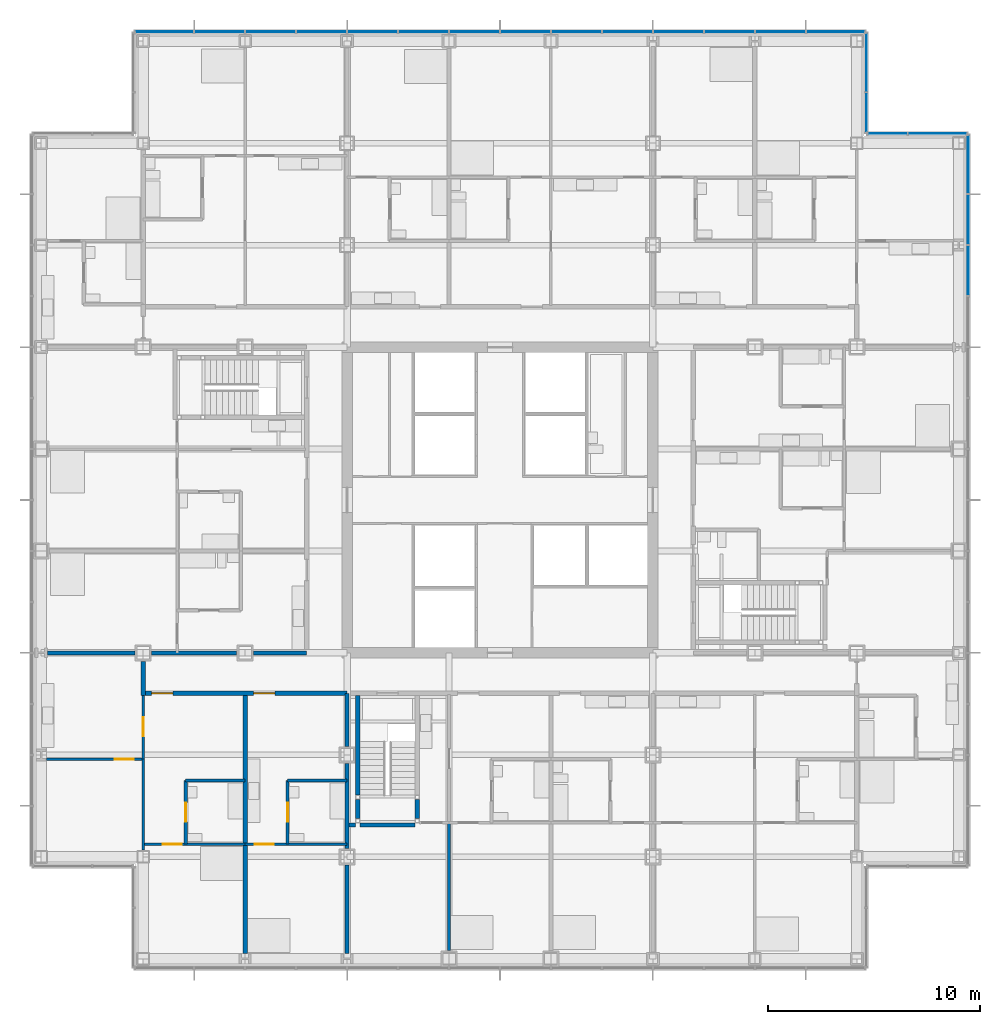
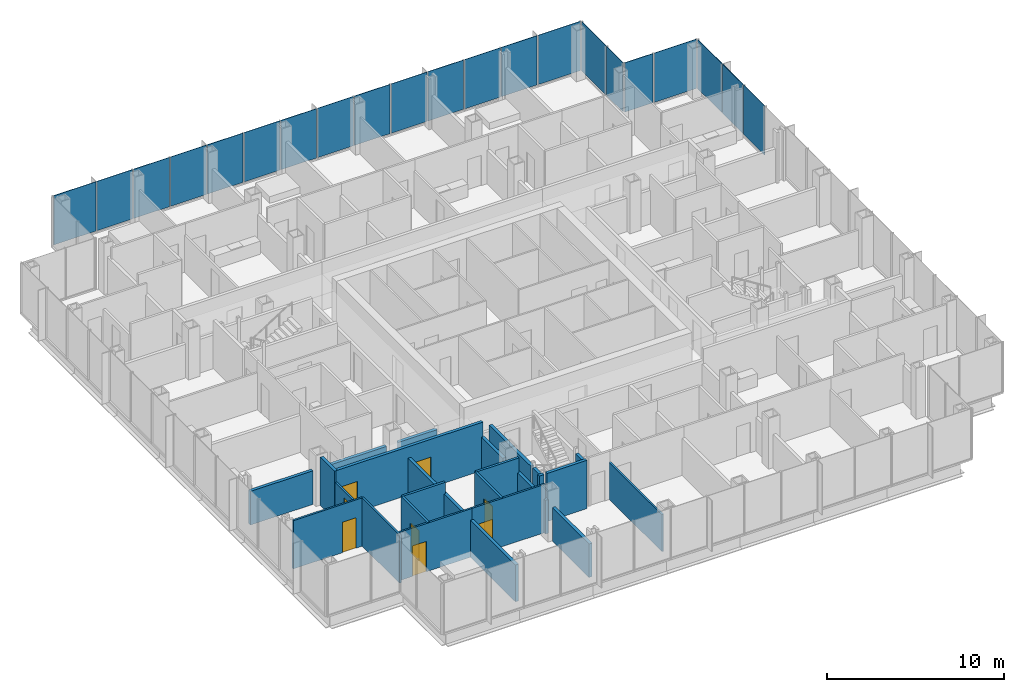
# One storey, part 13 of 21: 24 walls, 21 plates, 8 doors, 8 openings, 4 elements without a shape of their own.
"""IFC4 building model written with IfcOpenShell, lengths in metres."""

from ifc_helpers import new_model, si_unit, direction, frame, frame_2d, origin, origin_2d, place, context, subcontext, project, spatial, rectangle, extrude, material, layer, layer_set, type_object, element, fill, aggregate, save


model = new_model("IFC4")

# Units and contexts
model_context = context("Model", 3, precision=1e-05, world=origin(), true_north=direction((0.0, 1.0)))
body_context = subcontext(model_context, "Body", "Model", "MODEL_VIEW")
ifc_project = project(units=[si_unit("LENGTHUNIT", "METRE"), si_unit("AREAUNIT", "SQUARE_METRE"), si_unit("VOLUMEUNIT", "CUBIC_METRE"), si_unit("PLANEANGLEUNIT", "RADIAN"), si_unit("MASSUNIT", "GRAM", prefix="KILO")], contexts=[model_context])

# Site, building, storey
site_placement = place(None, origin())
site = spatial("IfcSite", under=ifc_project, at=site_placement, CompositionType="ELEMENT")
building_placement = place(site_placement, origin())
building = spatial("IfcBuilding", under=site, at=building_placement, Name="Kvirike Care Tower", CompositionType="ELEMENT")
storey_placement = place(building_placement, frame((0.0, 0.0, 27.0)))
storey = spatial("IfcBuildingStorey", under=building, at=storey_placement, Name="L06", CompositionType="ELEMENT", Elevation=27.0)

# Curtain wall, plates
ifc_material_1 = material(Name="Anodised aluminium stick system", Category="aluminium")
curtain_wall_type = type_object("IfcCurtainWallType", Name="CW-A STICK CURTAIN WALL", PredefinedType="NOTDEFINED", material=ifc_material_1)
curtain_wall_1_placement = place(storey_placement, origin())
curtain_wall_1 = element("IfcCurtainWall", 1, at=curtain_wall_1_placement, inside=storey, type_object=curtain_wall_type, Name="Curtain wall L06 face 7", PredefinedType="NOTDEFINED")
ifc_material_2 = material(Name="Tinted double glazed unit", Category="glass")
ifc_layer_1 = layer(ifc_material_2, 0.031982421875)
ifc_layer_set_1 = layer_set([ifc_layer_1], Name="TINTED VISION PANEL 32")
plate_type = type_object("IfcPlateType", Name="TINTED VISION PANEL 32", PredefinedType="CURTAIN_PANEL", material=ifc_layer_set_1)
plate_1_placement = place(storey_placement, frame((43.64990234375, 46.800048828125, 0.10009765625), z_axis=(0.0, 0.0, 1.0), x_axis=(0.0, 1.0, 0.0)))
plate_1 = element("IfcPlate", 2, at=plate_1_placement, type_object=plate_type, Name="CW-A panel L06 face 7.12", PredefinedType="CURTAIN_PANEL", context=body_context, shape_type="SweptSolid", body=[
    extrude(rectangle(XDim=2.3349609375, YDim=0.031982421875, at=origin_2d()), origin(), (0.0, 0.0, 1.0), 3.39990234375),
])
plate_2_placement = place(storey_placement, frame((43.64990234375, 49.199951171875, 0.10009765625), z_axis=(0.0, 0.0, 1.0), x_axis=(0.0, 1.0, 0.0)))
plate_2 = element("IfcPlate", 3, at=plate_2_placement, type_object=plate_type, Name="CW-A panel L06 face 7.13", PredefinedType="CURTAIN_PANEL", context=body_context, shape_type="SweptSolid", body=[
    extrude(rectangle(XDim=2.3349609375, YDim=0.031982421875, at=origin_2d()), origin(), (0.0, 0.0, 1.0), 3.39990234375),
])
plate_3_placement = place(storey_placement, frame((43.64990234375, 51.808837890625, 0.10009765625), z_axis=(0.0, 0.0, 1.0), x_axis=(0.0, 1.0, 0.0)))
plate_3 = element("IfcPlate", 4, at=plate_3_placement, type_object=plate_type, Name="CW-A panel L06 face 7.14", PredefinedType="CURTAIN_PANEL", context=body_context, shape_type="SweptSolid", body=[
    extrude(rectangle(XDim=2.75244140625, YDim=0.031982421875, at=origin_2d()), origin(), (0.0, 0.0, 1.0), 3.39990234375),
])
aggregate(curtain_wall_1, [plate_1, plate_2, plate_3])

curtain_wall_2_placement = place(storey_placement, origin())
curtain_wall_2 = element("IfcCurtainWall", 5, at=curtain_wall_2_placement, inside=storey, type_object=curtain_wall_type, Name="Curtain wall L06 face 8", PredefinedType="NOTDEFINED")
plate_4_placement = place(storey_placement, frame((42.208740234375, 53.25, 0.10009765625), z_axis=(0.0, 0.0, 1.0), x_axis=(-1.0, 0.0, 0.0)))
plate_4 = element("IfcPlate", 6, at=plate_4_placement, type_object=plate_type, Name="CW-A panel L06 face 8.1", PredefinedType="CURTAIN_PANEL", context=body_context, shape_type="SweptSolid", body=[
    extrude(rectangle(XDim=2.75244140625, YDim=0.031982421875, at=origin_2d()), origin(), (0.0, 0.0, 1.0), 3.39990234375),
])
plate_5_placement = place(storey_placement, frame((39.84130859375, 53.25, 0.10009765625), z_axis=(0.0, 0.0, 1.0), x_axis=(-1.0, 0.0, 0.0)))
plate_5 = element("IfcPlate", 7, at=plate_5_placement, type_object=plate_type, Name="CW-A panel L06 face 8.2", PredefinedType="CURTAIN_PANEL", context=body_context, shape_type="SweptSolid", body=[
    extrude(rectangle(XDim=1.8525390625, YDim=0.031982421875, at=origin_2d()), origin(), (0.0, 0.0, 1.0), 3.39990234375),
])
aggregate(curtain_wall_2, [plate_4, plate_5])

curtain_wall_3_placement = place(storey_placement, origin())
curtain_wall_3 = element("IfcCurtainWall", 8, at=curtain_wall_3_placement, inside=storey, type_object=curtain_wall_type, Name="Curtain wall L06 face 9", PredefinedType="NOTDEFINED")
plate_6_placement = place(storey_placement, frame((38.85009765625, 54.2412109375, 0.10009765625), z_axis=(0.0, 0.0, 1.0), x_axis=(0.0, 1.0, 0.0)))
plate_6 = element("IfcPlate", 9, at=plate_6_placement, type_object=plate_type, Name="CW-A panel L06 face 9.1", PredefinedType="CURTAIN_PANEL", context=body_context, shape_type="SweptSolid", body=[
    extrude(rectangle(XDim=1.8525390625, YDim=0.031982421875, at=origin_2d()), origin(), (0.0, 0.0, 1.0), 3.39990234375),
])
plate_7_placement = place(storey_placement, frame((38.85009765625, 56.608642578125, 0.10009765625), z_axis=(0.0, 0.0, 1.0), x_axis=(0.0, 1.0, 0.0)))
plate_7 = element("IfcPlate", 10, at=plate_7_placement, type_object=plate_type, Name="CW-A panel L06 face 9.2", PredefinedType="CURTAIN_PANEL", context=body_context, shape_type="SweptSolid", body=[
    extrude(rectangle(XDim=2.75244140625, YDim=0.031982421875, at=origin_2d()), origin(), (0.0, 0.0, 1.0), 3.39990234375),
])
aggregate(curtain_wall_3, [plate_6, plate_7])

curtain_wall_4_placement = place(storey_placement, origin())
curtain_wall_4 = element("IfcCurtainWall", 11, at=curtain_wall_4_placement, inside=storey, type_object=curtain_wall_type, Name="Curtain wall L06 face 10", PredefinedType="NOTDEFINED")
plate_8_placement = place(storey_placement, frame((37.40869140625, 58.050048828125, 0.10009765625), z_axis=(0.0, 0.0, 1.0), x_axis=(-1.0, 0.0, 0.0)))
plate_8 = element("IfcPlate", 12, at=plate_8_placement, type_object=plate_type, Name="CW-A panel L06 face 10.1", PredefinedType="CURTAIN_PANEL", context=body_context, shape_type="SweptSolid", body=[
    extrude(rectangle(XDim=2.75244140625, YDim=0.031982421875, at=origin_2d()), origin(), (0.0, 0.0, 1.0), 3.39990234375),
])
plate_9_placement = place(storey_placement, frame((34.800048828125, 58.050048828125, 0.10009765625), z_axis=(0.0, 0.0, 1.0), x_axis=(-1.0, 0.0, 0.0)))
plate_9 = element("IfcPlate", 13, at=plate_9_placement, type_object=plate_type, Name="CW-A panel L06 face 10.2", PredefinedType="CURTAIN_PANEL", context=body_context, shape_type="SweptSolid", body=[
    extrude(rectangle(XDim=2.3349609375, YDim=0.031982421875, at=origin_2d()), origin(), (0.0, 0.0, 1.0), 3.39990234375),
])
plate_10_placement = place(storey_placement, frame((32.39990234375, 58.050048828125, 0.10009765625), z_axis=(0.0, 0.0, 1.0), x_axis=(-1.0, 0.0, 0.0)))
plate_10 = element("IfcPlate", 14, at=plate_10_placement, type_object=plate_type, Name="CW-A panel L06 face 10.3", PredefinedType="CURTAIN_PANEL", context=body_context, shape_type="SweptSolid", body=[
    extrude(rectangle(XDim=2.3349609375, YDim=0.031982421875, at=origin_2d()), origin(), (0.0, 0.0, 1.0), 3.39990234375),
])
plate_11_placement = place(storey_placement, frame((30.0, 58.050048828125, 0.10009765625), z_axis=(0.0, 0.0, 1.0), x_axis=(-1.0, 0.0, 0.0)))
plate_11 = element("IfcPlate", 15, at=plate_11_placement, type_object=plate_type, Name="CW-A panel L06 face 10.4", PredefinedType="CURTAIN_PANEL", context=body_context, shape_type="SweptSolid", body=[
    extrude(rectangle(XDim=2.3349609375, YDim=0.031982421875, at=origin_2d()), origin(), (0.0, 0.0, 1.0), 3.39990234375),
])
plate_12_placement = place(storey_placement, frame((27.60009765625, 58.050048828125, 0.10009765625), z_axis=(0.0, 0.0, 1.0), x_axis=(-1.0, 0.0, 0.0)))
plate_12 = element("IfcPlate", 16, at=plate_12_placement, type_object=plate_type, Name="CW-A panel L06 face 10.5", PredefinedType="CURTAIN_PANEL", context=body_context, shape_type="SweptSolid", body=[
    extrude(rectangle(XDim=2.3349609375, YDim=0.031982421875, at=origin_2d()), origin(), (0.0, 0.0, 1.0), 3.39990234375),
])
plate_13_placement = place(storey_placement, frame((25.199951171875, 58.050048828125, 0.10009765625), z_axis=(0.0, 0.0, 1.0), x_axis=(-1.0, 0.0, 0.0)))
plate_13 = element("IfcPlate", 17, at=plate_13_placement, type_object=plate_type, Name="CW-A panel L06 face 10.6", PredefinedType="CURTAIN_PANEL", context=body_context, shape_type="SweptSolid", body=[
    extrude(rectangle(XDim=2.3349609375, YDim=0.031982421875, at=origin_2d()), origin(), (0.0, 0.0, 1.0), 3.39990234375),
])
plate_14_placement = place(storey_placement, frame((22.800048828125, 58.050048828125, 0.10009765625), z_axis=(0.0, 0.0, 1.0), x_axis=(-1.0, 0.0, 0.0)))
plate_14 = element("IfcPlate", 18, at=plate_14_placement, type_object=plate_type, Name="CW-A panel L06 face 10.7", PredefinedType="CURTAIN_PANEL", context=body_context, shape_type="SweptSolid", body=[
    extrude(rectangle(XDim=2.3349609375, YDim=0.031982421875, at=origin_2d()), origin(), (0.0, 0.0, 1.0), 3.39990234375),
])
plate_15_placement = place(storey_placement, frame((20.39990234375, 58.050048828125, 0.10009765625), z_axis=(0.0, 0.0, 1.0), x_axis=(-1.0, 0.0, 0.0)))
plate_15 = element("IfcPlate", 19, at=plate_15_placement, type_object=plate_type, Name="CW-A panel L06 face 10.8", PredefinedType="CURTAIN_PANEL", context=body_context, shape_type="SweptSolid", body=[
    extrude(rectangle(XDim=2.3349609375, YDim=0.031982421875, at=origin_2d()), origin(), (0.0, 0.0, 1.0), 3.39990234375),
])
plate_16_placement = place(storey_placement, frame((18.0, 58.050048828125, 0.10009765625), z_axis=(0.0, 0.0, 1.0), x_axis=(-1.0, 0.0, 0.0)))
plate_16 = element("IfcPlate", 20, at=plate_16_placement, type_object=plate_type, Name="CW-A panel L06 face 10.9", PredefinedType="CURTAIN_PANEL", context=body_context, shape_type="SweptSolid", body=[
    extrude(rectangle(XDim=2.3349609375, YDim=0.031982421875, at=origin_2d()), origin(), (0.0, 0.0, 1.0), 3.39990234375),
])
plate_17_placement = place(storey_placement, frame((15.60009765625, 58.050048828125, 0.10009765625), z_axis=(0.0, 0.0, 1.0), x_axis=(-1.0, 0.0, 0.0)))
plate_17 = element("IfcPlate", 21, at=plate_17_placement, type_object=plate_type, Name="CW-A panel L06 face 10.10", PredefinedType="CURTAIN_PANEL", context=body_context, shape_type="SweptSolid", body=[
    extrude(rectangle(XDim=2.3349609375, YDim=0.031982421875, at=origin_2d()), origin(), (0.0, 0.0, 1.0), 3.39990234375),
])
plate_18_placement = place(storey_placement, frame((13.199951171875, 58.050048828125, 0.10009765625), z_axis=(0.0, 0.0, 1.0), x_axis=(-1.0, 0.0, 0.0)))
plate_18 = element("IfcPlate", 22, at=plate_18_placement, type_object=plate_type, Name="CW-A panel L06 face 10.11", PredefinedType="CURTAIN_PANEL", context=body_context, shape_type="SweptSolid", body=[
    extrude(rectangle(XDim=2.3349609375, YDim=0.031982421875, at=origin_2d()), origin(), (0.0, 0.0, 1.0), 3.39990234375),
])
plate_19_placement = place(storey_placement, frame((10.800048828125, 58.050048828125, 0.10009765625), z_axis=(0.0, 0.0, 1.0), x_axis=(-1.0, 0.0, 0.0)))
plate_19 = element("IfcPlate", 23, at=plate_19_placement, type_object=plate_type, Name="CW-A panel L06 face 10.12", PredefinedType="CURTAIN_PANEL", context=body_context, shape_type="SweptSolid", body=[
    extrude(rectangle(XDim=2.3349609375, YDim=0.031982421875, at=origin_2d()), origin(), (0.0, 0.0, 1.0), 3.39990234375),
])
plate_20_placement = place(storey_placement, frame((8.39990234375, 58.050048828125, 0.10009765625), z_axis=(0.0, 0.0, 1.0), x_axis=(-1.0, 0.0, 0.0)))
plate_20 = element("IfcPlate", 24, at=plate_20_placement, type_object=plate_type, Name="CW-A panel L06 face 10.13", PredefinedType="CURTAIN_PANEL", context=body_context, shape_type="SweptSolid", body=[
    extrude(rectangle(XDim=2.3349609375, YDim=0.031982421875, at=origin_2d()), origin(), (0.0, 0.0, 1.0), 3.39990234375),
])
plate_21_placement = place(storey_placement, frame((5.791259765625, 58.050048828125, 0.10009765625), z_axis=(0.0, 0.0, 1.0), x_axis=(-1.0, 0.0, 0.0)))
plate_21 = element("IfcPlate", 25, at=plate_21_placement, type_object=plate_type, Name="CW-A panel L06 face 10.14", PredefinedType="CURTAIN_PANEL", context=body_context, shape_type="SweptSolid", body=[
    extrude(rectangle(XDim=2.75244140625, YDim=0.031982421875, at=origin_2d()), origin(), (0.0, 0.0, 1.0), 3.39990234375),
])
aggregate(curtain_wall_4, [plate_8, plate_9, plate_10, plate_11, plate_12, plate_13, plate_14, plate_15, plate_16, plate_17, plate_18, plate_19, plate_20, plate_21])

# Wall, opening, door
ifc_material_3 = material(Name="Moisture-resistant board partition", Category="gypsum")
ifc_layer_2 = layer(ifc_material_3, 0.14990234375)
ifc_layer_set_2 = layer_set([ifc_layer_2], Name="BATHROOM WALL 150")
wall_type_1 = type_object("IfcWallType", Name="BATHROOM WALL 150", PredefinedType="PARTITIONING", material=ifc_layer_set_2)
wall_1_placement = place(storey_placement, frame((6.800048828125, 19.800048828125, 0.0), z_axis=(0.0, 0.0, 1.0), x_axis=(0.0, 1.0, 0.0)))
wall_1 = element("IfcWall", 26, at=wall_1_placement, inside=storey, type_object=wall_type_1, Name="Bathroom Wall 150 L06", PredefinedType="PARTITIONING", context=body_context, shape_type="SweptSolid", body=[
    extrude(rectangle(XDim=3.0, YDim=0.14990234375, at=frame_2d((1.5, 0.0))), origin(), (0.0, 0.0, 1.0), 3.330078125),
])
opening_1_placement = place(wall_1_placement, frame((1.050048828125, 0.0, 0.0)))
opening_1 = element("IfcOpeningElement", 27, at=opening_1_placement, cuts=wall_1, Name="Opening 06-001", PredefinedType="OPENING", context=body_context, shape_type="SweptSolid", body=[
    extrude(rectangle(XDim=0.89990234375, YDim=2.10009765625, at=frame_2d((0.449951171875, 1.050048828125))), frame((0.0, 0.08544921875, 0.0), z_axis=(0.0, -1.0, 0.0), x_axis=(1.0, 0.0, 0.0)), (0.0, 0.0, 1.0), 0.1708984375),
])
ifc_material_4 = material(Name="Timber door set", Category="wood")
door_type_1 = type_object("IfcDoorType", Name="BATHROOM DOOR 900", OperationType="SINGLE_SWING_RIGHT", PredefinedType="DOOR", material=ifc_material_4)
door_1_placement = place(opening_1_placement, frame((0.89990234375, 0.0, 0.0), z_axis=(0.0, 0.0, 1.0), x_axis=(-1.0, 0.0, 0.0)))
door_1 = element("IfcDoor", 28, at=door_1_placement, inside=storey, type_object=door_type_1, Name="Bathroom door", OperationType="SINGLE_SWING_RIGHT", OverallHeight=2.10009765625, OverallWidth=0.89990234375, PredefinedType="DOOR", context=body_context, shape_type="SweptSolid", body=[
    extrude(rectangle(XDim=0.89990234375, YDim=2.10009765625, at=frame_2d((0.449951171875, 1.050048828125))), frame((0.0, 0.02197265625, 0.0), z_axis=(0.0, -1.0, 0.0), x_axis=(1.0, 0.0, 0.0)), (0.0, 0.0, 1.0), 0.0439453125),
])
fill(opening_1, door_1)

# Wall
wall_2_placement = place(storey_placement, frame((6.800048828125, 22.800048828125, 0.0), z_axis=(0.0, 0.0, 1.0), x_axis=(1.0, 0.0, 0.0)))
element("IfcWall", 29, at=wall_2_placement, inside=storey, type_object=wall_type_1, Name="Bathroom Wall 150 L06", PredefinedType="PARTITIONING", context=body_context, shape_type="SweptSolid", body=[
    extrude(rectangle(XDim=2.800048828125, YDim=0.14990234375, at=frame_2d((1.39990234375, 0.0))), origin(), (0.0, 0.0, 1.0), 3.330078125),
])

# Wall, opening, door
wall_3_placement = place(storey_placement, frame((11.60009765625, 19.800048828125, 0.0), z_axis=(0.0, 0.0, 1.0), x_axis=(0.0, 1.0, 0.0)))
wall_3 = element("IfcWall", 30, at=wall_3_placement, inside=storey, type_object=wall_type_1, Name="Bathroom Wall 150 L06", PredefinedType="PARTITIONING", context=body_context, shape_type="SweptSolid", body=[
    extrude(rectangle(XDim=3.0, YDim=0.14990234375, at=frame_2d((1.5, 0.0))), origin(), (0.0, 0.0, 1.0), 3.330078125),
])
opening_2_placement = place(wall_3_placement, frame((1.050048828125, 0.0, 0.0)))
opening_2 = element("IfcOpeningElement", 31, at=opening_2_placement, cuts=wall_3, Name="Opening 06-005", PredefinedType="OPENING", context=body_context, shape_type="SweptSolid", body=[
    extrude(rectangle(XDim=0.89990234375, YDim=2.10009765625, at=frame_2d((0.449951171875, 1.050048828125))), frame((0.0, 0.08544921875, 0.0), z_axis=(0.0, -1.0, 0.0), x_axis=(1.0, 0.0, 0.0)), (0.0, 0.0, 1.0), 0.1708984375),
])
door_2_placement = place(opening_2_placement, frame((0.89990234375, 0.0, 0.0), z_axis=(0.0, 0.0, 1.0), x_axis=(-1.0, 0.0, 0.0)))
door_2 = element("IfcDoor", 32, at=door_2_placement, inside=storey, type_object=door_type_1, Name="Bathroom door", OperationType="SINGLE_SWING_RIGHT", OverallHeight=2.10009765625, OverallWidth=0.89990234375, PredefinedType="DOOR", context=body_context, shape_type="SweptSolid", body=[
    extrude(rectangle(XDim=0.89990234375, YDim=2.10009765625, at=frame_2d((0.449951171875, 1.050048828125))), frame((0.0, 0.02197265625, 0.0), z_axis=(0.0, -1.0, 0.0), x_axis=(1.0, 0.0, 0.0)), (0.0, 0.0, 1.0), 0.0439453125),
])
fill(opening_2, door_2)

# Wall
wall_4_placement = place(storey_placement, frame((11.60009765625, 22.800048828125, 0.0), z_axis=(0.0, 0.0, 1.0), x_axis=(1.0, 0.0, 0.0)))
element("IfcWall", 33, at=wall_4_placement, inside=storey, type_object=wall_type_1, Name="Bathroom Wall 150 L06", PredefinedType="PARTITIONING", context=body_context, shape_type="SweptSolid", body=[
    extrude(rectangle(XDim=2.7998046875, YDim=0.14990234375, at=frame_2d((1.39990234375, 0.0))), origin(), (0.0, 0.0, 1.0), 3.330078125),
])

# Wall, openings, doors
ifc_material_5 = material(Name="Plasterboard corridor wall", Category="gypsum")
ifc_layer_3 = layer(ifc_material_5, 0.199951171875)
ifc_layer_set_3 = layer_set([ifc_layer_3], Name="CORRIDOR WALL 200")
wall_type_2 = type_object("IfcWallType", Name="CORRIDOR WALL 200", PredefinedType="PARTITIONING", material=ifc_layer_set_3)
wall_5_placement = place(storey_placement, frame((4.800048828125, 26.89990234375, 0.0), z_axis=(0.0, 0.0, 1.0), x_axis=(1.0, 0.0, 0.0)))
wall_5 = element("IfcWall", 34, at=wall_5_placement, inside=storey, type_object=wall_type_2, Name="Corridor Wall 200 L06", PredefinedType="PARTITIONING", context=body_context, shape_type="SweptSolid", body=[
    extrude(rectangle(XDim=9.599853515625, YDim=0.199951171875, at=frame_2d((4.7998046875, 0.0))), origin(), (0.0, 0.0, 1.0), 3.330078125),
])
opening_3_placement = place(wall_5_placement, frame((0.39990234375, 0.0, 0.0)))
opening_3 = element("IfcOpeningElement", 35, at=opening_3_placement, cuts=wall_5, Name="Opening 06-007", PredefinedType="OPENING", context=body_context, shape_type="SweptSolid", body=[
    extrude(rectangle(XDim=1.0, YDim=2.10009765625, at=frame_2d((0.5, 1.050048828125))), frame((0.0, 0.110595703125, 0.0), z_axis=(0.0, -1.0, 0.0), x_axis=(1.0, 0.0, 0.0)), (0.0, 0.0, 1.0), 0.220947265625),
])
opening_4_placement = place(wall_5_placement, frame((5.199951171875, 0.0, 0.0)))
opening_4 = element("IfcOpeningElement", 36, at=opening_4_placement, cuts=wall_5, Name="Opening 06-008", PredefinedType="OPENING", context=body_context, shape_type="SweptSolid", body=[
    extrude(rectangle(XDim=1.0, YDim=2.10009765625, at=frame_2d((0.5, 1.050048828125))), frame((0.0, 0.110595703125, 0.0), z_axis=(0.0, -1.0, 0.0), x_axis=(1.0, 0.0, 0.0)), (0.0, 0.0, 1.0), 0.220947265625),
])
ifc_material_6 = material(Name="Timber door set", Category="wood")
door_type_2 = type_object("IfcDoorType", Name="FLAT ENTRANCE DOOR 1000", OperationType="SINGLE_SWING_LEFT", PredefinedType="DOOR", material=ifc_material_6)
door_3_placement = place(opening_3_placement, frame((1.0, 0.0, 0.0), z_axis=(0.0, 0.0, 1.0), x_axis=(-1.0, 0.0, 0.0)))
door_3 = element("IfcDoor", 37, at=door_3_placement, inside=storey, type_object=door_type_2, Name="One-bedroom apartment entrance", OperationType="SINGLE_SWING_LEFT", OverallHeight=2.10009765625, OverallWidth=1.0, PredefinedType="DOOR", context=body_context, shape_type="SweptSolid", body=[
    extrude(rectangle(XDim=1.0, YDim=2.10009765625, at=frame_2d((0.5, 1.050048828125))), frame((0.0, 0.02685546875, 0.0), z_axis=(0.0, -1.0, 0.0), x_axis=(1.0, 0.0, 0.0)), (0.0, 0.0, 1.0), 0.053955078125),
])
fill(opening_3, door_3)
door_4_placement = place(opening_4_placement, frame((1.0, 0.0, 0.0), z_axis=(0.0, 0.0, 1.0), x_axis=(-1.0, 0.0, 0.0)))
door_4 = element("IfcDoor", 38, at=door_4_placement, inside=storey, type_object=door_type_2, Name="Studio apartment entrance", OperationType="SINGLE_SWING_LEFT", OverallHeight=2.10009765625, OverallWidth=1.0, PredefinedType="DOOR", context=body_context, shape_type="SweptSolid", body=[
    extrude(rectangle(XDim=1.0, YDim=2.10009765625, at=frame_2d((0.5, 1.050048828125))), frame((0.0, 0.02685546875, 0.0), z_axis=(0.0, -1.0, 0.0), x_axis=(1.0, 0.0, 0.0)), (0.0, 0.0, 1.0), 0.053955078125),
])
fill(opening_4, door_4)

# Wall
wall_6_placement = place(storey_placement, frame((4.800048828125, 26.800048828125, 0.0), z_axis=(0.0, 0.0, 1.0), x_axis=(0.0, 1.0, 0.0)))
element("IfcWall", 39, at=wall_6_placement, inside=storey, type_object=wall_type_2, Name="Corridor Wall 200 L06", PredefinedType="PARTITIONING", context=body_context, shape_type="SweptSolid", body=[
    extrude(rectangle(XDim=1.60498046875, YDim=0.199951171875, at=frame_2d((0.802490234375, 0.0))), origin(), (0.0, 0.0, 1.0), 3.330078125),
])

# Wall, opening, door
ifc_material_7 = material(Name="Plasterboard partition", Category="gypsum")
ifc_layer_4 = layer(ifc_material_7, 0.1201171875)
ifc_layer_set_4 = layer_set([ifc_layer_4], Name="PARTITION 120")
wall_type_3 = type_object("IfcWallType", Name="PARTITION 120", PredefinedType="PARTITIONING", material=ifc_layer_set_4)
wall_7_placement = place(storey_placement, frame((4.800048828125, 23.800048828125, 0.0), z_axis=(0.0, 0.0, 1.0), x_axis=(0.0, 1.0, 0.0)))
wall_7 = element("IfcWall", 40, at=wall_7_placement, inside=storey, type_object=wall_type_3, Name="Partition 120 L06", PredefinedType="PARTITIONING", context=body_context, shape_type="SweptSolid", body=[
    extrude(rectangle(XDim=3.0, YDim=0.1201171875, at=frame_2d((1.5, 0.0))), origin(), (0.0, 0.0, 1.0), 2.550048828125),
])
opening_5_placement = place(wall_7_placement, frame((1.074951171875, 0.0, 0.0)))
opening_5 = element("IfcOpeningElement", 41, at=opening_5_placement, cuts=wall_7, Name="Opening 06-002", PredefinedType="OPENING", context=body_context, shape_type="SweptSolid", body=[
    extrude(rectangle(XDim=0.89990234375, YDim=2.10009765625, at=frame_2d((0.449951171875, 1.050048828125))), frame((0.0, 0.070556640625, 0.0), z_axis=(0.0, -1.0, 0.0), x_axis=(1.0, 0.0, 0.0)), (0.0, 0.0, 1.0), 0.14111328125),
])
ifc_material_8 = material(Name="Timber door set", Category="wood")
door_type_3 = type_object("IfcDoorType", Name="INTERNAL DOOR 900", OperationType="SINGLE_SWING_LEFT", PredefinedType="DOOR", material=ifc_material_8)
door_5_placement = place(opening_5_placement, origin())
door_5 = element("IfcDoor", 42, at=door_5_placement, inside=storey, type_object=door_type_3, Name="Hall door", OperationType="SINGLE_SWING_RIGHT", OverallHeight=2.10009765625, OverallWidth=0.89990234375, PredefinedType="DOOR", context=body_context, shape_type="SweptSolid", body=[
    extrude(rectangle(XDim=0.89990234375, YDim=2.10009765625, at=frame_2d((0.449951171875, 1.050048828125))), frame((0.0, 0.02197265625, 0.0), z_axis=(0.0, -1.0, 0.0), x_axis=(1.0, 0.0, 0.0)), (0.0, 0.0, 1.0), 0.0439453125),
])
fill(opening_5, door_5)

wall_8_placement = place(storey_placement, frame((0.2470703125, 23.800048828125, 0.0), z_axis=(0.0, 0.0, 1.0), x_axis=(1.0, 0.0, 0.0)))
wall_8 = element("IfcWall", 43, at=wall_8_placement, inside=storey, type_object=wall_type_3, Name="Partition 120 L06", PredefinedType="PARTITIONING", context=body_context, shape_type="SweptSolid", body=[
    extrude(rectangle(XDim=4.552978515625, YDim=0.1201171875, at=frame_2d((2.2763671875, 0.0))), origin(), (0.0, 0.0, 1.0), 3.330078125),
])
opening_6_placement = place(wall_8_placement, frame((3.202880859375, 0.0, 0.0)))
opening_6 = element("IfcOpeningElement", 44, at=opening_6_placement, cuts=wall_8, Name="Opening 06-003", PredefinedType="OPENING", context=body_context, shape_type="SweptSolid", body=[
    extrude(rectangle(XDim=0.89990234375, YDim=2.10009765625, at=frame_2d((0.449951171875, 1.050048828125))), frame((0.0, 0.070556640625, 0.0), z_axis=(0.0, -1.0, 0.0), x_axis=(1.0, 0.0, 0.0)), (0.0, 0.0, 1.0), 0.14111328125),
])
door_6_placement = place(opening_6_placement, frame((0.89990234375, 0.0, 0.0), z_axis=(0.0, 0.0, 1.0), x_axis=(-1.0, 0.0, 0.0)))
door_6 = element("IfcDoor", 45, at=door_6_placement, inside=storey, type_object=door_type_3, Name="Apartment living room door", OperationType="SINGLE_SWING_RIGHT", OverallHeight=2.10009765625, OverallWidth=0.89990234375, PredefinedType="DOOR", context=body_context, shape_type="SweptSolid", body=[
    extrude(rectangle(XDim=0.89990234375, YDim=2.10009765625, at=frame_2d((0.449951171875, 1.050048828125))), frame((0.0, 0.02197265625, 0.0), z_axis=(0.0, -1.0, 0.0), x_axis=(1.0, 0.0, 0.0)), (0.0, 0.0, 1.0), 0.0439453125),
])
fill(opening_6, door_6)

wall_9_placement = place(storey_placement, frame((4.800048828125, 19.800048828125, 0.0), z_axis=(0.0, 0.0, 1.0), x_axis=(1.0, 0.0, 0.0)))
wall_9 = element("IfcWall", 46, at=wall_9_placement, inside=storey, type_object=wall_type_3, Name="Partition 120 L06", PredefinedType="PARTITIONING", context=body_context, shape_type="SweptSolid", body=[
    extrude(rectangle(XDim=4.800048828125, YDim=0.1201171875, at=frame_2d((2.39990234375, 0.0))), origin(), (0.0, 0.0, 1.0), 3.330078125),
])
opening_7_placement = place(wall_9_placement, frame((0.925048828125, 0.0, 0.0)))
opening_7 = element("IfcOpeningElement", 47, at=opening_7_placement, cuts=wall_9, Name="Opening 06-004", PredefinedType="OPENING", context=body_context, shape_type="SweptSolid", body=[
    extrude(rectangle(XDim=0.89990234375, YDim=2.10009765625, at=frame_2d((0.449951171875, 1.050048828125))), frame((0.0, 0.070556640625, 0.0), z_axis=(0.0, -1.0, 0.0), x_axis=(1.0, 0.0, 0.0)), (0.0, 0.0, 1.0), 0.14111328125),
])
door_7_placement = place(opening_7_placement, origin())
door_7 = element("IfcDoor", 48, at=door_7_placement, inside=storey, type_object=door_type_3, Name="Apartment bedroom door", OperationType="SINGLE_SWING_LEFT", OverallHeight=2.10009765625, OverallWidth=0.89990234375, PredefinedType="DOOR", context=body_context, shape_type="SweptSolid", body=[
    extrude(rectangle(XDim=0.89990234375, YDim=2.10009765625, at=frame_2d((0.449951171875, 1.050048828125))), frame((0.0, 0.02197265625, 0.0), z_axis=(0.0, -1.0, 0.0), x_axis=(1.0, 0.0, 0.0)), (0.0, 0.0, 1.0), 0.0439453125),
])
fill(opening_7, door_7)

# Wall
wall_10_placement = place(storey_placement, frame((4.800048828125, 19.52001953125, 0.0), z_axis=(0.0, 0.0, 1.0), x_axis=(0.0, 1.0, 0.0)))
element("IfcWall", 49, at=wall_10_placement, inside=storey, type_object=wall_type_3, Name="Partition 120 L06", PredefinedType="PARTITIONING", context=body_context, shape_type="SweptSolid", body=[
    extrude(rectangle(XDim=4.280029296875, YDim=0.1201171875, at=frame_2d((2.14013671875, 0.0))), origin(), (0.0, 0.0, 1.0), 3.330078125),
])

# Wall, opening, door
wall_11_placement = place(storey_placement, frame((9.60009765625, 19.800048828125, 0.0), z_axis=(0.0, 0.0, 1.0), x_axis=(1.0, 0.0, 0.0)))
wall_11 = element("IfcWall", 50, at=wall_11_placement, inside=storey, type_object=wall_type_3, Name="Partition 120 L06", PredefinedType="PARTITIONING", context=body_context, shape_type="SweptSolid", body=[
    extrude(rectangle(XDim=4.7998046875, YDim=0.1201171875, at=frame_2d((2.39990234375, 0.0))), origin(), (0.0, 0.0, 1.0), 3.330078125),
])
opening_8_placement = place(wall_11_placement, frame((0.449951171875, 0.0, 0.0)))
opening_8 = element("IfcOpeningElement", 51, at=opening_8_placement, cuts=wall_11, Name="Opening 06-006", PredefinedType="OPENING", context=body_context, shape_type="SweptSolid", body=[
    extrude(rectangle(XDim=0.89990234375, YDim=2.10009765625, at=frame_2d((0.449951171875, 1.050048828125))), frame((0.0, 0.070556640625, 0.0), z_axis=(0.0, -1.0, 0.0), x_axis=(1.0, 0.0, 0.0)), (0.0, 0.0, 1.0), 0.14111328125),
])
door_8_placement = place(opening_8_placement, origin())
door_8 = element("IfcDoor", 52, at=door_8_placement, inside=storey, type_object=door_type_3, Name="Studio apartment living room door", OperationType="SINGLE_SWING_RIGHT", OverallHeight=2.10009765625, OverallWidth=0.89990234375, PredefinedType="DOOR", context=body_context, shape_type="SweptSolid", body=[
    extrude(rectangle(XDim=0.89990234375, YDim=2.10009765625, at=frame_2d((0.449951171875, 1.050048828125))), frame((0.0, 0.02197265625, 0.0), z_axis=(0.0, -1.0, 0.0), x_axis=(1.0, 0.0, 0.0)), (0.0, 0.0, 1.0), 0.0439453125),
])
fill(opening_8, door_8)

# Walls
wall_12_placement = place(storey_placement, frame((19.199951171875, 14.794921875, 0.0), z_axis=(0.0, 0.0, 1.0), x_axis=(0.0, 1.0, 0.0)))
element("IfcWall", 53, at=wall_12_placement, inside=storey, type_object=wall_type_3, Name="Partition 120 L06", PredefinedType="PARTITIONING", context=body_context, shape_type="SweptSolid", body=[
    extrude(rectangle(XDim=6.005126953125, YDim=0.1201171875, at=frame_2d((3.00244140625, 0.0))), origin(), (0.0, 0.0, 1.0), 2.550048828125),
])
ifc_material_9 = material(Name="Plasterboard party wall", Category="gypsum")
ifc_layer_5 = layer(ifc_material_9, 0.199951171875)
ifc_layer_set_5 = layer_set([ifc_layer_5], Name="PARTY WALL 200")
wall_type_4 = type_object("IfcWallType", Name="PARTY WALL 200", PredefinedType="PARTITIONING", material=ifc_layer_set_5)
wall_13_placement = place(storey_placement, frame((9.60009765625, 14.64697265625, 0.0), z_axis=(0.0, 0.0, 1.0), x_axis=(0.0, 1.0, 0.0)))
element("IfcWall", 54, at=wall_13_placement, inside=storey, type_object=wall_type_4, Name="Party Wall 200 L06", PredefinedType="PARTITIONING", context=body_context, shape_type="SweptSolid", body=[
    extrude(rectangle(XDim=12.153076171875, YDim=0.199951171875, at=frame_2d((6.07666015625, 0.0))), origin(), (0.0, 0.0, 1.0), 2.550048828125),
])
wall_14_placement = place(storey_placement, frame((12.5, 28.800048828125, 0.0), z_axis=(0.0, 0.0, 1.0), x_axis=(-1.0, 0.0, 0.0)))
element("IfcWall", 55, at=wall_14_placement, inside=storey, type_object=wall_type_4, Name="Party Wall 200 L06", PredefinedType="PARTITIONING", context=body_context, shape_type="SweptSolid", body=[
    extrude(rectangle(XDim=2.5048828125, YDim=0.199951171875, at=frame_2d((1.25244140625, 0.0))), origin(), (0.0, 0.0, 1.0), 2.320068359375),
])
wall_15_placement = place(storey_placement, frame((9.205078125, 28.800048828125, 0.0), z_axis=(0.0, 0.0, 1.0), x_axis=(-1.0, 0.0, 0.0)))
element("IfcWall", 56, at=wall_15_placement, inside=storey, type_object=wall_type_4, Name="Party Wall 200 L06", PredefinedType="PARTITIONING", context=body_context, shape_type="SweptSolid", body=[
    extrude(rectangle(XDim=4.010009765625, YDim=0.199951171875, at=frame_2d((2.0048828125, 0.0))), origin(), (0.0, 0.0, 1.0), 2.320068359375),
])
wall_16_placement = place(storey_placement, frame((4.405029296875, 28.800048828125, 0.0), z_axis=(0.0, 0.0, 1.0), x_axis=(-1.0, 0.0, 0.0)))
element("IfcWall", 57, at=wall_16_placement, inside=storey, type_object=wall_type_4, Name="Party Wall 200 L06", PredefinedType="PARTITIONING", context=body_context, shape_type="SweptSolid", body=[
    extrude(rectangle(XDim=4.1005859375, YDim=0.199951171875, at=frame_2d((2.05029296875, 0.0))), origin(), (0.0, 0.0, 1.0), 2.320068359375),
])
wall_17_placement = place(storey_placement, frame((14.39990234375, 14.64697265625, 0.0), z_axis=(0.0, 0.0, 1.0), x_axis=(0.0, 1.0, 0.0)))
element("IfcWall", 58, at=wall_17_placement, inside=storey, type_object=wall_type_4, Name="Party Wall 200 L06", PredefinedType="PARTITIONING", context=body_context, shape_type="SweptSolid", body=[
    extrude(rectangle(XDim=4.157958984375, YDim=0.199951171875, at=frame_2d((2.0791015625, 0.0))), origin(), (0.0, 0.0, 1.0), 2.320068359375),
])
wall_18_placement = place(storey_placement, frame((14.39990234375, 19.594970703125, 0.0), z_axis=(0.0, 0.0, 1.0), x_axis=(0.0, 1.0, 0.0)))
element("IfcWall", 59, at=wall_18_placement, inside=storey, type_object=wall_type_4, Name="Party Wall 200 L06", PredefinedType="PARTITIONING", context=body_context, shape_type="SweptSolid", body=[
    extrude(rectangle(XDim=4.010009765625, YDim=0.199951171875, at=frame_2d((2.0048828125, 0.0))), origin(), (0.0, 0.0, 1.0), 2.320068359375),
])
wall_19_placement = place(storey_placement, frame((14.39990234375, 24.39501953125, 0.0), z_axis=(0.0, 0.0, 1.0), x_axis=(0.0, 1.0, 0.0)))
element("IfcWall", 60, at=wall_19_placement, inside=storey, type_object=wall_type_4, Name="Party Wall 200 L06", PredefinedType="PARTITIONING", context=body_context, shape_type="SweptSolid", body=[
    extrude(rectangle(XDim=2.5048828125, YDim=0.199951171875, at=frame_2d((1.25244140625, 0.0))), origin(), (0.0, 0.0, 1.0), 2.320068359375),
])
ifc_material_10 = material(Name="Concrete C40/50", Category="concrete")
ifc_layer_6 = layer(ifc_material_10, 0.199951171875)
ifc_layer_set_6 = layer_set([ifc_layer_6], Name="STAIR WALL 200")
wall_type_5 = type_object("IfcWallType", Name="STAIR WALL 200", PredefinedType="SOLIDWALL", material=ifc_layer_set_6)
wall_20_placement = place(storey_placement, frame((14.89990234375, 21.0, 0.0), z_axis=(0.0, 0.0, 1.0), x_axis=(0.0, 1.0, 0.0)))
element("IfcWall", 61, at=wall_20_placement, inside=storey, type_object=wall_type_5, Name="Stair Wall 200 L06", PredefinedType="SOLIDWALL", context=body_context, shape_type="SweptSolid", body=[
    extrude(rectangle(XDim=0.89990234375, YDim=0.199951171875, at=frame_2d((0.449951171875, 0.0))), origin(), (0.0, 0.0, 1.0), 2.989990234375),
])
wall_21_placement = place(storey_placement, frame((14.89990234375, 22.10009765625, 0.0), z_axis=(0.0, 0.0, 1.0), x_axis=(0.0, 1.0, 0.0)))
element("IfcWall", 62, at=wall_21_placement, inside=storey, type_object=wall_type_5, Name="Stair Wall 200 L06", PredefinedType="SOLIDWALL", context=body_context, shape_type="SweptSolid", body=[
    extrude(rectangle(XDim=4.699951171875, YDim=0.199951171875, at=frame_2d((2.35009765625, 0.0))), origin(), (0.0, 0.0, 1.0), 2.989990234375),
])
wall_22_placement = place(storey_placement, frame((17.699951171875, 21.0, 0.0), z_axis=(0.0, 0.0, 1.0), x_axis=(0.0, 1.0, 0.0)))
element("IfcWall", 63, at=wall_22_placement, inside=storey, type_object=wall_type_5, Name="Stair Wall 200 L06", PredefinedType="SOLIDWALL", context=body_context, shape_type="SweptSolid", body=[
    extrude(rectangle(XDim=0.89990234375, YDim=0.199951171875, at=frame_2d((0.449951171875, 0.0))), origin(), (0.0, 0.0, 1.0), 2.989990234375),
])
wall_23_placement = place(storey_placement, frame((14.5, 20.699951171875, 0.0), z_axis=(0.0, 0.0, 1.0), x_axis=(1.0, 0.0, 0.0)))
element("IfcWall", 64, at=wall_23_placement, inside=storey, type_object=wall_type_5, Name="Stair Wall 200 L06", PredefinedType="SOLIDWALL", context=body_context, shape_type="SweptSolid", body=[
    extrude(rectangle(XDim=0.300048828125, YDim=0.199951171875, at=frame_2d((0.14990234375, 0.0))), origin(), (0.0, 0.0, 1.0), 3.330078125),
])
wall_24_placement = place(storey_placement, frame((15.0, 20.699951171875, 0.0), z_axis=(0.0, 0.0, 1.0), x_axis=(1.0, 0.0, 0.0)))
element("IfcWall", 65, at=wall_24_placement, inside=storey, type_object=wall_type_5, Name="Stair Wall 200 L06", PredefinedType="SOLIDWALL", context=body_context, shape_type="SweptSolid", body=[
    extrude(rectangle(XDim=2.60009765625, YDim=0.199951171875, at=frame_2d((1.300048828125, 0.0))), origin(), (0.0, 0.0, 1.0), 3.330078125),
])

save(model, "model.ifc")
